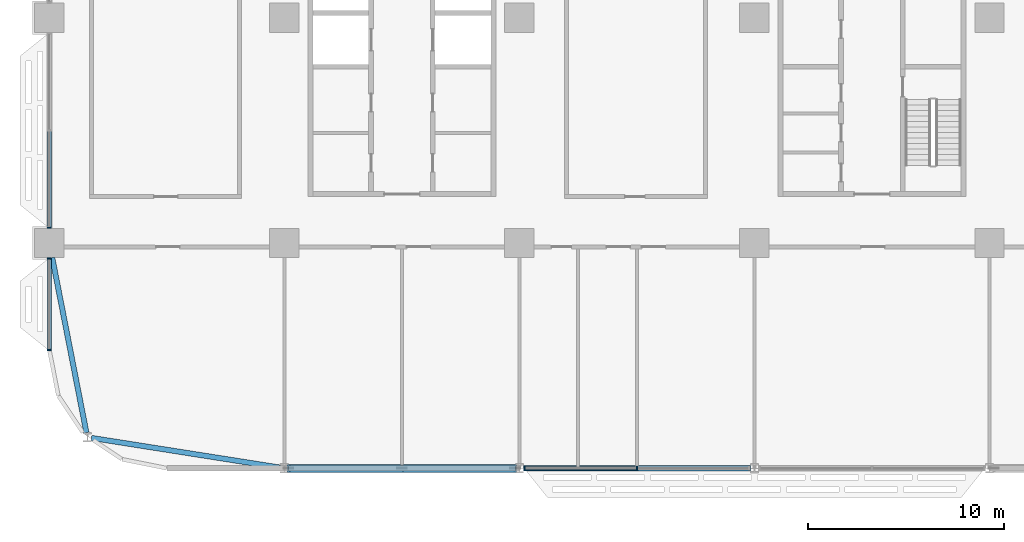
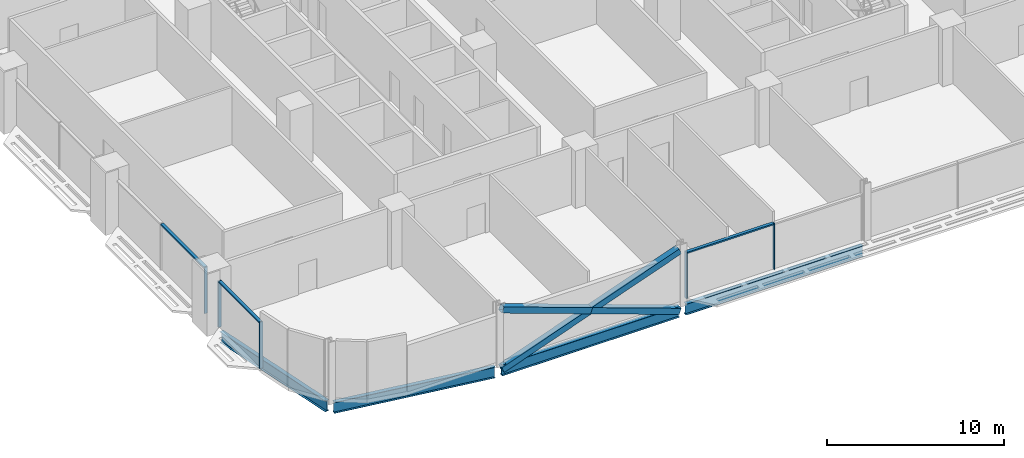
# One storey, part 3 of 30: 11 members, 4 beams, 3 elements without a shape of their own.
"""IFC4 building model written with IfcOpenShell, lengths in metres."""

import ifcopenshell
import ifcopenshell.guid

model = None  # the IFC model being written
_history = None  # IfcOwnerHistory: only IFC2X3 demands one
_inside = {}  # id of a spatial element -> (the spatial element, [elements in it])
_under = {}  # id of a project, library or spatial element -> (it, [spatial elements below it])
_declared = {}  # id of a project -> (the project, [libraries it declares])
_typed = {}  # id of a type object -> (the type object, [elements of that type])
_made_of = {}  # id of a material, layer set ... -> (it, [elements and type objects made of it])


def new_model(schema):
    """Start an empty IFC model of exactly this schema.

    Asked for "IFC4X3", IfcOpenShell would pick the latest addendum, in which some entities
    have other attributes; the version numbers below select the first issue.
    IFC2X3 requires an IfcOwnerHistory on every rooted entity: one is made here for all.
    """
    global model, _history
    if schema == "IFC4X3":
        model = ifcopenshell.file(schema_version=(4, 3, 0, 0))
    else:
        model = ifcopenshell.file(schema=schema)
    _inside.clear()
    _under.clear()
    _declared.clear()
    _typed.clear()
    _made_of.clear()
    _history = None
    if model.schema == "IFC2X3":
        org = make("IfcOrganization", Name="unknown")
        user = make(
            "IfcPersonAndOrganization",
            ThePerson=make("IfcPerson", FamilyName="unknown"),
            TheOrganization=org,
        )
        app = make(
            "IfcApplication",
            ApplicationDeveloper=org,
            Version="unknown",
            ApplicationFullName="unknown",
            ApplicationIdentifier="unknown",
        )
        _history = make(
            "IfcOwnerHistory",
            OwningUser=user,
            OwningApplication=app,
            ChangeAction="ADDED",
            CreationDate=0,
        )
    return model


def make(cls, **values):
    """One entity of the class cls with the attributes given. An attribute that is None is left unset."""
    return model.create_entity(
        cls, **{name: value for name, value in values.items() if value is not None}
    )


def rooted(cls, **values):
    """An entity with a GlobalId (a new one), such as an element, a storey or a relation."""
    return make(cls, GlobalId=ifcopenshell.guid.new(), OwnerHistory=_history, **values)


def si_unit(unit_type, name, prefix=None):
    """IfcSIUnit, for example si_unit("LENGTHUNIT", "METRE", prefix="MILLI")."""
    return make("IfcSIUnit", UnitType=unit_type, Prefix=prefix, Name=name)


def assignment(units):
    """IfcUnitAssignment: the units of a project."""
    return None if units is None else make("IfcUnitAssignment", Units=units)


def point(xyz):
    """IfcCartesianPoint."""
    return None if xyz is None else make("IfcCartesianPoint", Coordinates=xyz)


def direction(xyz):
    """IfcDirection."""
    return None if xyz is None else make("IfcDirection", DirectionRatios=xyz)


def frame(location, z_axis=None, x_axis=None):
    """IfcAxis2Placement3D, a coordinate frame: its origin and axes. An axis left out is left unset."""
    return make(
        "IfcAxis2Placement3D",
        Location=point(location),
        Axis=direction(z_axis),
        RefDirection=direction(x_axis),
    )


def frame_2d(location, x_axis=None):
    """IfcAxis2Placement2D, a coordinate frame in the plane: its origin and x axis."""
    return make(
        "IfcAxis2Placement2D", Location=point(location), RefDirection=direction(x_axis)
    )


def origin():
    """The frame at (0, 0, 0) with its axes left unset."""
    return frame((0.0, 0.0, 0.0))


def origin_2d():
    """The frame at (0, 0) in the plane with its x axis left unset."""
    return frame_2d((0.0, 0.0))


def place(relative_to, where):
    """IfcLocalPlacement: puts the frame where relative to a parent placement (None: the world)."""
    return make(
        "IfcLocalPlacement", PlacementRelTo=relative_to, RelativePlacement=where
    )


def context(
    kind, dimensions, precision=None, world=None, true_north=None, identifier=None
):
    """IfcGeometricRepresentationContext, for example the 3D "Model" context."""
    return make(
        "IfcGeometricRepresentationContext",
        ContextIdentifier=identifier,
        ContextType=kind,
        CoordinateSpaceDimension=dimensions,
        Precision=precision,
        WorldCoordinateSystem=world,
        TrueNorth=true_north,
    )


def subcontext(parent, identifier, kind, view, scale=None):
    """IfcGeometricRepresentationSubContext, for example "Body" below "Model"."""
    return make(
        "IfcGeometricRepresentationSubContext",
        ContextIdentifier=identifier,
        ContextType=kind,
        ParentContext=parent,
        TargetScale=scale,
        TargetView=view,
    )


def project(units=None, contexts=None):
    """IfcProject with its units and contexts."""
    return rooted(
        "IfcProject",
        Name="project",
        RepresentationContexts=contexts,
        UnitsInContext=assignment(units),
    )


def spatial(cls, under=None, at=None, **own):
    """A site, building, storey or space (cls), placed at a placement, below another one or the project."""
    s = rooted(cls, ObjectPlacement=at, **own)
    if under is not None:
        _under.setdefault(under.id(), (under, []))[1].append(s)
    return s


def profile(cls, at=None, kind="AREA", **sizes):
    """A parametric profile (cls). Its sizes go by their IFC names, for example OverallWidth=200.0."""
    return make(cls, ProfileType=kind, Position=at, **sizes)


def rectangle(**sizes):
    """IfcRectangleProfileDef."""
    return profile("IfcRectangleProfileDef", **sizes)


def hollow_rectangle(**sizes):
    """IfcRectangleHollowProfileDef."""
    return profile("IfcRectangleHollowProfileDef", **sizes)


def i_section(**sizes):
    """IfcIShapeProfileDef."""
    return profile("IfcIShapeProfileDef", **sizes)


def extrude(swept, where, along, depth):
    """IfcExtrudedAreaSolid: the profile swept, set in the frame where, extruded along a direction by depth."""
    return make(
        "IfcExtrudedAreaSolid",
        SweptArea=swept,
        Position=where,
        ExtrudedDirection=direction(along),
        Depth=depth,
    )


def shape(context_of_items, identifier, shape_type, items):
    """IfcShapeRepresentation: the items that make up one representation, for example the "Body"."""
    return make(
        "IfcShapeRepresentation",
        ContextOfItems=context_of_items,
        RepresentationIdentifier=identifier,
        RepresentationType=shape_type,
        Items=items,
    )


def material(Name=None, Category=None):
    """IfcMaterial."""
    return make("IfcMaterial", Name=Name, Category=Category)


def material_profile(
    of_material, cross_section, Name=None, Category=None, Priority=None
):
    """IfcMaterialProfile: a cross section and its material."""
    return make(
        "IfcMaterialProfile",
        Name=Name,
        Material=of_material,
        Profile=cross_section,
        Priority=Priority,
        Category=Category,
    )


def profile_set(profiles, Name=None, composite=None):
    """IfcMaterialProfileSet."""
    return make(
        "IfcMaterialProfileSet",
        Name=Name,
        MaterialProfiles=profiles,
        CompositeProfile=composite,
    )


def made_of(thing, what):
    """Note that an element or type object is made of a material, layer set ...; save() writes the relation."""
    if what is not None:
        _made_of.setdefault(what.id(), (what, []))[1].append(thing)
    return thing


def type_object(cls, material=None, **own):
    """A type object (cls), such as IfcWallType, which elements share."""
    return made_of(rooted(cls, **own), material)


def element(
    cls,
    number,
    at=None,
    inside=None,
    cuts=None,
    type_object=None,
    material=None,
    context=None,
    identifier="Body",
    shape_type=None,
    held_by="IfcProductDefinitionShape",
    body=None,
    shapes=None,
    **own,
):
    """One element of the class cls, such as IfcWall. Its Tag is "e" and its number.

    at: its placement. inside: the storey or other place that contains it. cuts: it is an
    opening in that element (IfcRelVoidsElement). A single representation is given by context,
    identifier, shape_type and body (its items); several are given by shapes. held_by: the class
    of the entity that holds the representations. save() writes the other relations.
    """
    e = rooted(cls, Tag="e%d" % number, ObjectPlacement=at, **own)
    if body is not None:
        shapes = [shape(context, identifier, shape_type, body)]
    if shapes is not None:
        e.Representation = make(held_by, Representations=shapes)
    if inside is not None:
        _inside.setdefault(inside.id(), (inside, []))[1].append(e)
    if cuts is not None:
        rooted(
            "IfcRelVoidsElement", RelatingBuildingElement=cuts, RelatedOpeningElement=e
        )
    if type_object is not None:
        _typed.setdefault(type_object.id(), (type_object, []))[1].append(e)
    return made_of(e, material)


def aggregate(whole, parts):
    """IfcRelAggregates: a whole, such as a stair, and the parts it consists of."""
    return rooted("IfcRelAggregates", RelatingObject=whole, RelatedObjects=parts)


def save(model, path):
    """Write the relations noted so far, then the file.

    IfcRelAggregates (storeys below a building ...), IfcRelContainedInSpatialStructure (elements
    in a storey), IfcRelDefinesByType, IfcRelAssociatesMaterial and IfcRelDeclares: one each for
    every whole, place, type object, material and project.
    """
    for whole, parts in _under.values():
        aggregate(whole, parts)
    for where, things in _inside.values():
        rooted(
            "IfcRelContainedInSpatialStructure",
            RelatedElements=things,
            RelatingStructure=where,
        )
    for kind, things in _typed.values():
        rooted("IfcRelDefinesByType", RelatedObjects=things, RelatingType=kind)
    for what, things in _made_of.values():
        rooted("IfcRelAssociatesMaterial", RelatedObjects=things, RelatingMaterial=what)
    for by, libraries in _declared.values():
        rooted("IfcRelDeclares", RelatingContext=by, RelatedDefinitions=libraries)
    model.write(path)


model = new_model("IFC4")

# Units and contexts
model_context = context("Model", 3, precision=1e-05, world=origin(), true_north=direction((0.0, 1.0)))
body_context = subcontext(model_context, "Body", "Model", "MODEL_VIEW")
ifc_project = project(units=[si_unit("LENGTHUNIT", "METRE"), si_unit("AREAUNIT", "SQUARE_METRE"), si_unit("VOLUMEUNIT", "CUBIC_METRE"), si_unit("PLANEANGLEUNIT", "RADIAN"), si_unit("MASSUNIT", "GRAM", prefix="KILO")], contexts=[model_context])

# Site, building, storey
site_placement = place(None, origin())
site = spatial("IfcSite", under=ifc_project, at=site_placement, CompositionType="ELEMENT")
building_placement = place(site_placement, origin())
building = spatial("IfcBuilding", under=site, at=building_placement, Name="Mahtab Terrace Research Tower", CompositionType="ELEMENT")
storey_placement = place(building_placement, frame((0.0, 0.0, 50.300048828125)))
storey = spatial("IfcBuildingStorey", under=building, at=storey_placement, Name="L11", CompositionType="ELEMENT", Elevation=50.300048828125)

# Members
ifc_material_1 = material(Name="Steel ASTM A500 Gr C", Category="steel")
ifc_material_profile_1 = material_profile(ifc_material_1, hollow_rectangle(XDim=0.406494140625, YDim=0.406494140625, WallThickness=0.01904296875, at=origin_2d()), Name="HSS16X16X3/4")
ifc_profile_set_1 = profile_set([ifc_material_profile_1], Name="Steel ASTM A500 Gr C")
member_type_1 = type_object("IfcMemberType", Name="HSS 16x16x3/4 brace XB161634", PredefinedType="BRACE", material=ifc_profile_set_1)
member_1_placement = place(storey_placement, frame((-29.787841796875, -23.0, -0.642578125), z_axis=(0.94138021482, 0.0, 0.33734743388), x_axis=(0.0, 1.0, 0.0)))
element("IfcMember", 1, at=member_1_placement, inside=storey, type_object=member_type_1, Name="Exoskeleton brace L11 14 a", PredefinedType="BRACE", context=body_context, shape_type="SweptSolid", body=[
    extrude(hollow_rectangle(XDim=0.406494140625, YDim=0.406494140625, WallThickness=0.01904296875, at=origin_2d()), origin(), (0.0, 0.0, 1.0), 12.29638671875),
])
for number, where, z_axis, x_axis, name in (
    (2, (-18.212158203125, -23.0, -0.642578125), (-0.941386519928, 0.0, 0.337329838731), (0.0, -1.0, 0.0), "Exoskeleton brace L11 14 b1"),
    (3, (-24.0, -23.0, 1.431396484375), (-0.941373909467, 0.0, 0.337365028677), (0.0, -1.0, 0.0), "Exoskeleton brace L11 14 b2"),
):
    element("IfcMember", number, at=place(storey_placement, frame(where, z_axis=z_axis, x_axis=x_axis)), inside=storey, type_object=member_type_1, Name=name, PredefinedType="BRACE", context=body_context, shape_type="SweptSolid", body=[
        extrude(hollow_rectangle(XDim=0.406494140625, YDim=0.406494140625, WallThickness=0.01904296875, at=origin_2d()), origin(), (0.0, 0.0, 1.0), 6.148193359375),
    ])

# Curtain wall, member
ifc_material_2 = material(Name="Laboratory ribbon curtain wall")
curtain_wall_type = type_object("IfcCurtainWallType", Name="Laboratory ribbon curtain wall", PredefinedType="NOTDEFINED", material=ifc_material_2)
curtain_wall_1_placement = place(storey_placement, origin())
curtain_wall_1 = element("IfcCurtainWall", 4, at=curtain_wall_1_placement, inside=storey, type_object=curtain_wall_type, Name="EN.L11.8.17", PredefinedType="NOTDEFINED")
ifc_material_3 = material(Name="Natural anodised aluminium", Category="aluminium")
ifc_material_profile_2 = material_profile(ifc_material_3, rectangle(XDim=0.199951171875, YDim=0.06494140625, at=origin_2d()), Name="MULLION 65x200")
ifc_profile_set_2 = profile_set([ifc_material_profile_2], Name="Natural anodised aluminium")
member_type_2 = type_object("IfcMemberType", Name="Laboratory ribbon curtain wall mullion", PredefinedType="MULLION", material=ifc_profile_set_2)
member_2_placement = place(storey_placement, frame((-42.0, -10.717529296875, 0.0), z_axis=(0.0, 0.0, 1.0), x_axis=(1.0, 0.0, 0.0)))
member_2 = element("IfcMember", 5, at=member_2_placement, type_object=member_type_2, Name="CWL-2 mullion 3", PredefinedType="MULLION", context=body_context, shape_type="SweptSolid", body=[
    extrude(rectangle(XDim=0.199951171875, YDim=0.06494140625, at=origin_2d()), origin(), (0.0, 0.0, 1.0), 3.203125),
])

# Curtain wall, members
curtain_wall_2_placement = place(storey_placement, origin())
curtain_wall_2 = element("IfcCurtainWall", 6, at=curtain_wall_2_placement, inside=storey, type_object=curtain_wall_type, Name="EN.L11.8.18", PredefinedType="NOTDEFINED")
member_3_placement = place(storey_placement, frame((-42.0, -12.282470703125, 0.0), z_axis=(0.0, 0.0, 1.0), x_axis=(1.0, 0.0, 0.0)))
member_3 = element("IfcMember", 7, at=member_3_placement, type_object=member_type_2, Name="CWL-2 mullion 1", PredefinedType="MULLION", context=body_context, shape_type="SweptSolid", body=[
    extrude(rectangle(XDim=0.199951171875, YDim=0.06494140625, at=origin_2d()), origin(), (0.0, 0.0, 1.0), 3.203125),
])
member_4_placement = place(storey_placement, frame((-42.0, -16.967529296875, 0.0), z_axis=(0.0, 0.0, 1.0), x_axis=(1.0, 0.0, 0.0)))
member_4 = element("IfcMember", 8, at=member_4_placement, type_object=member_type_2, Name="CWL-2 mullion 2", PredefinedType="MULLION", context=body_context, shape_type="SweptSolid", body=[
    extrude(rectangle(XDim=0.199951171875, YDim=0.06494140625, at=origin_2d()), origin(), (0.0, 0.0, 1.0), 3.203125),
])

curtain_wall_3_placement = place(storey_placement, origin())
curtain_wall_3 = element("IfcCurtainWall", 9, at=curtain_wall_3_placement, inside=storey, type_object=curtain_wall_type, Name="EN.L11.13.25", PredefinedType="NOTDEFINED")
member_5_placement = place(storey_placement, frame((-17.7294921875, -23.0, 0.0), z_axis=(0.0, 0.0, 1.0), x_axis=(0.0, 1.0, 0.0)))
member_5 = element("IfcMember", 10, at=member_5_placement, type_object=member_type_2, Name="CWL-2 mullion 1", PredefinedType="MULLION", context=body_context, shape_type="SweptSolid", body=[
    extrude(rectangle(XDim=0.199951171875, YDim=0.06494140625, at=origin_2d()), origin(), (0.0, 0.0, 1.0), 3.203125),
])
member_6_placement = place(storey_placement, frame((-12.0, -23.0, 0.0), z_axis=(0.0, 0.0, 1.0), x_axis=(0.0, 1.0, 0.0)))
member_6 = element("IfcMember", 11, at=member_6_placement, type_object=member_type_2, Name="CWL-2 mullion 2", PredefinedType="MULLION", context=body_context, shape_type="SweptSolid", body=[
    extrude(rectangle(XDim=0.199951171875, YDim=0.06494140625, at=origin_2d()), origin(), (0.0, 0.0, 1.0), 3.203125),
])

# Member
ifc_material_profile_3 = material_profile(ifc_material_3, rectangle(XDim=0.199951171875, YDim=0.10009765625, at=origin_2d()), Name="TRANSOM 100x200")
ifc_profile_set_3 = profile_set([ifc_material_profile_3], Name="Natural anodised aluminium")
member_type_3 = type_object("IfcMemberType", Name="Laboratory ribbon curtain wall transom", PredefinedType="USERDEFINED", material=ifc_profile_set_3)
member_7_placement = place(storey_placement, frame((-42.0, -5.782470703125, 3.153076171875), z_axis=(0.0, -1.0, 0.0), x_axis=(1.0, 0.0, 0.0)))
member_7 = element("IfcMember", 12, at=member_7_placement, type_object=member_type_3, Name="CWL-2 transom 2", ObjectType="TRANSOM", PredefinedType="USERDEFINED", context=body_context, shape_type="SweptSolid", body=[
    extrude(rectangle(XDim=0.199951171875, YDim=0.10009765625, at=origin_2d()), origin(), (0.0, 0.0, 1.0), 4.902587890625),
])

aggregate(curtain_wall_1, [member_2, member_7])

member_8_placement = place(storey_placement, frame((-42.0, -12.31494140625, 3.153076171875), z_axis=(0.0, -1.0, 0.0), x_axis=(1.0, 0.0, 0.0)))
member_8 = element("IfcMember", 13, at=member_8_placement, type_object=member_type_3, Name="CWL-2 transom 1", ObjectType="TRANSOM", PredefinedType="USERDEFINED", context=body_context, shape_type="SweptSolid", body=[
    extrude(rectangle(XDim=0.199951171875, YDim=0.10009765625, at=origin_2d()), origin(), (0.0, 0.0, 1.0), 4.6201171875),
])

aggregate(curtain_wall_2, [member_3, member_4, member_8])

member_9_placement = place(storey_placement, frame((-17.697021484375, -23.0, 3.153076171875), z_axis=(1.0, 0.0, 0.0), x_axis=(0.0, 1.0, 0.0)))
member_9 = element("IfcMember", 14, at=member_9_placement, type_object=member_type_3, Name="CWL-2 transom 1", ObjectType="TRANSOM", PredefinedType="USERDEFINED", context=body_context, shape_type="SweptSolid", body=[
    extrude(rectangle(XDim=0.199951171875, YDim=0.10009765625, at=origin_2d()), origin(), (0.0, 0.0, 1.0), 5.66455078125),
])

aggregate(curtain_wall_3, [member_5, member_6, member_9])

# Beams
ifc_material_4 = material(Name="Steel ASTM A992 Gr 50", Category="steel")
ifc_material_profile_4 = material_profile(ifc_material_4, i_section(OverallWidth=0.2666015625, OverallDepth=0.7568359375, WebThickness=0.013916015625, FlangeThickness=0.019287109375, at=origin_2d()), Name="W30X108")
ifc_profile_set_4 = profile_set([ifc_material_profile_4], Name="Steel ASTM A992 Gr 50")
beam_type = type_object("IfcBeamType", Name="W30x108 beam BS30108", PredefinedType="BEAM", material=ifc_profile_set_4)
beam_1_placement = place(storey_placement, frame((-41.853515625, -12.25, -0.718505859375), z_axis=(0.191825617976, -0.981429025599, 0.0), x_axis=(0.981429025599, 0.191825617976, 0.0)))
element("IfcBeam", 15, at=beam_1_placement, inside=storey, type_object=beam_type, Name="Spandrel beam L11 12", PredefinedType="BEAM", context=body_context, shape_type="SweptSolid", body=[
    extrude(i_section(OverallWidth=0.2666015625, OverallDepth=0.7568359375, WebThickness=0.013916015625, FlangeThickness=0.019287109375, at=origin_2d()), origin(), (0.0, 0.0, 1.0), 9.097412109375),
])
beam_2_placement = place(storey_placement, frame((-39.849853515625, -21.449462890625, -0.718505859375), z_axis=(0.987836303792, -0.155497385545, 0.0), x_axis=(0.155497385545, 0.987836303792, 0.0)))
element("IfcBeam", 16, at=beam_2_placement, inside=storey, type_object=beam_type, Name="Spandrel beam L11 13", PredefinedType="BEAM", context=body_context, shape_type="SweptSolid", body=[
    extrude(i_section(OverallWidth=0.2666015625, OverallDepth=0.7568359375, WebThickness=0.013916015625, FlangeThickness=0.019287109375, at=origin_2d()), origin(), (0.0, 0.0, 1.0), 9.75634765625),
])
for number, where, z_axis, x_axis, name in (
    (17, (-29.787841796875, -23.0, -0.718505859375), (1.0, 0.0, 0.0), (0.0, 1.0, 0.0), "Spandrel beam L11 14"),
    (18, (-17.787841796875, -23.0, -0.718505859375), (1.0, 0.0, 0.0), (0.0, 1.0, 0.0), "Spandrel beam L11 15"),
):
    element("IfcBeam", number, at=place(storey_placement, frame(where, z_axis=z_axis, x_axis=x_axis)), inside=storey, type_object=beam_type, Name=name, PredefinedType="BEAM", context=body_context, shape_type="SweptSolid", body=[
        extrude(i_section(OverallWidth=0.2666015625, OverallDepth=0.7568359375, WebThickness=0.013916015625, FlangeThickness=0.019287109375, at=origin_2d()), origin(), (0.0, 0.0, 1.0), 11.57568359375),
    ])

save(model, "model.ifc")
